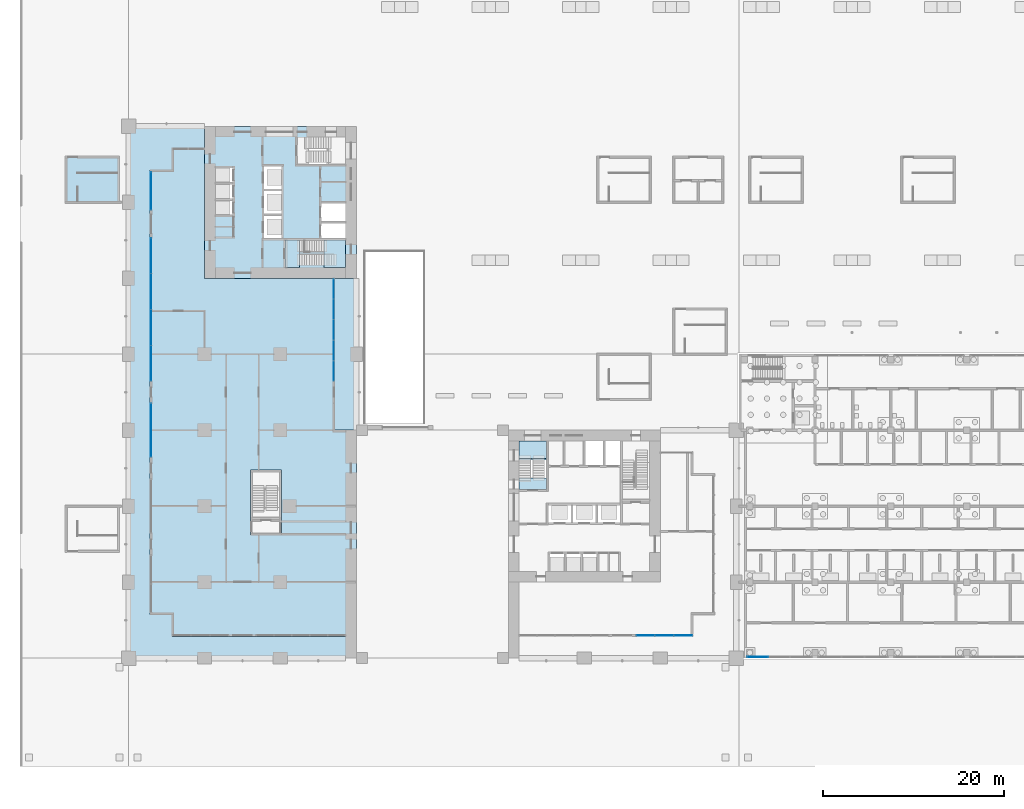
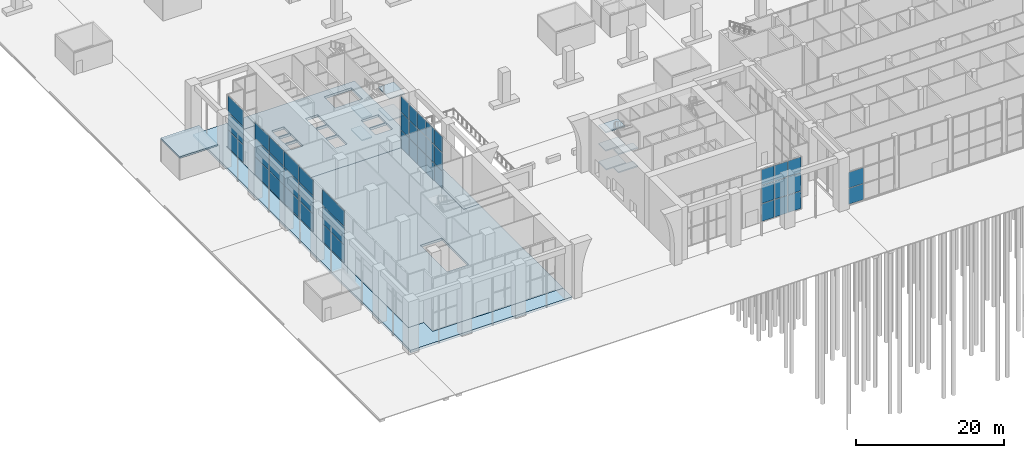
# One storey, part 14 of 46: 44 plates, 14 slabs, 8 elements without a shape of their own.
"""IFC4 building model written with IfcOpenShell, lengths in metres."""

from ifc_helpers import new_model, si_unit, direction, frame, origin, origin_2d, place, context, subcontext, project, spatial, polyline, rectangle, outline, extrude, material, layer, layer_set, type_object, element, aggregate, save


model = new_model("IFC4")

# Units and contexts
model_context = context("Model", 3, precision=1e-05, world=origin(), true_north=direction((0.0, 1.0)))
body_context = subcontext(model_context, "Body", "Model", "MODEL_VIEW")
ifc_project = project(units=[si_unit("LENGTHUNIT", "METRE"), si_unit("AREAUNIT", "SQUARE_METRE"), si_unit("VOLUMEUNIT", "CUBIC_METRE"), si_unit("PLANEANGLEUNIT", "RADIAN"), si_unit("MASSUNIT", "GRAM", prefix="KILO")], contexts=[model_context])

# Site, building, storey
site_placement = place(None, origin())
site = spatial("IfcSite", under=ifc_project, at=site_placement, CompositionType="ELEMENT")
building_placement = place(site_placement, origin())
building = spatial("IfcBuilding", under=site, at=building_placement, Name="Vermilion Gate Residences", CompositionType="ELEMENT")
storey_placement = place(building_placement, origin())
storey = spatial("IfcBuildingStorey", under=building, at=storey_placement, Name="L00", CompositionType="ELEMENT", Elevation=0.0)

# Curtain wall, plates
ifc_material_1 = material(Name="Aluminium and glass", Category="aluminium")
ifc_layer_1 = layer(ifc_material_1, 0.159912109375)
ifc_layer_set_1 = layer_set([ifc_layer_1], Name="SHOPFRONT CURTAIN WALL (MARKET HALL)")
curtain_wall_type_1 = type_object("IfcCurtainWallType", Name="SHOPFRONT CURTAIN WALL (MARKET HALL)", PredefinedType="NOTDEFINED", material=ifc_layer_set_1)
curtain_wall_1_placement = place(storey_placement, origin())
curtain_wall_1 = element("IfcCurtainWall", 1, at=curtain_wall_1_placement, inside=storey, type_object=curtain_wall_type_1, Name="Shopfront glazing", PredefinedType="NOTDEFINED")
ifc_material_2 = material(Name="Glass", Category="glass")
ifc_layer_2 = layer(ifc_material_2, 0.028076171875)
ifc_layer_set_2 = layer_set([ifc_layer_2], Name="GLAZING PANEL 28 (MARKET HALL)")
plate_type_1 = type_object("IfcPlateType", Name="GLAZING PANEL 28 (MARKET HALL)", PredefinedType="CURTAIN_PANEL", material=ifc_layer_set_2)
plate_1_placement = place(storey_placement, frame((69.56494140625, 0.125, 0.06005859375), z_axis=(0.0, 0.0, 1.0), x_axis=(1.0, 0.0, 0.0)))
plate_1 = element("IfcPlate", 2, at=plate_1_placement, type_object=plate_type_1, Name="HC3 panel 1.1", PredefinedType="CURTAIN_PANEL", context=body_context, shape_type="SweptSolid", body=[
    extrude(rectangle(XDim=2.31005859375, YDim=0.028076171875, at=origin_2d()), origin(), (0.0, 0.0, 1.0), 2.610107421875),
])
plate_2_placement = place(storey_placement, frame((69.56494140625, 0.125, 2.72998046875), z_axis=(0.0, 0.0, 1.0), x_axis=(1.0, 0.0, 0.0)))
plate_2 = element("IfcPlate", 3, at=plate_2_placement, type_object=plate_type_1, Name="HC3 panel 1.2", PredefinedType="CURTAIN_PANEL", context=body_context, shape_type="SweptSolid", body=[
    extrude(rectangle(XDim=2.31005859375, YDim=0.028076171875, at=origin_2d()), origin(), (0.0, 0.0, 1.0), 2.610107421875),
])
aggregate(curtain_wall_1, [plate_1, plate_2])

# Slab
ifc_material_3 = material(Name="Concrete C30", Category="concrete")
ifc_layer_3 = layer(ifc_material_3, 0.25)
ifc_layer_set_3 = layer_set([ifc_layer_3], Name="HOUSE ROOF 250 (AMENITY)")
slab_type_1 = type_object("IfcSlabType", Name="HOUSE ROOF 250 (AMENITY)", PredefinedType="ROOF", material=ifc_layer_set_3)
slab_1_placement = place(storey_placement, frame((0.0, 0.0, 3.60009765625)))
element("IfcSlab", 4, at=slab_1_placement, inside=storey, type_object=slab_type_1, Name="House roof 2", PredefinedType="ROOF", context=body_context, shape_type="SweptSolid", body=[
    extrude(outline(polyline([(-7.0, 50.300048828125), (-7.0, 55.5), (-1.0, 55.5), (-1.0, 50.300048828125), (-7.0, 50.300048828125)])), origin(), (0.0, 0.0, 1.0), 0.25),
])

# Curtain wall, plates
ifc_material_4 = material(Name="Aluminium and glass", Category="aluminium")
curtain_wall_type_2 = type_object("IfcCurtainWallType", Name="LOBBY ENTRANCE GLAZING CURTAIN WALL", PredefinedType="NOTDEFINED", material=ifc_material_4)
curtain_wall_2_placement = place(storey_placement, origin())
curtain_wall_2 = element("IfcCurtainWall", 5, at=curtain_wall_2_placement, inside=storey, type_object=curtain_wall_type_2, Name="Lobby Entrance Glazing 82", PredefinedType="NOTDEFINED")
ifc_material_5 = material(Name="Low-iron laminated glass", Category="glass")
ifc_layer_4 = layer(ifc_material_5, 0.035888671875)
ifc_layer_set_4 = layer_set([ifc_layer_4], Name="LOBBY ENTRANCE GLAZING GLASS PANEL 36")
plate_type_2 = type_object("IfcPlateType", Name="LOBBY ENTRANCE GLAZING GLASS PANEL 36", PredefinedType="CURTAIN_PANEL", material=ifc_layer_set_4)
plate_3_placement = place(storey_placement, frame((22.699951171875, 31.760009765625, 0.080078125), z_axis=(0.0, 0.0, 1.0), x_axis=(0.0, 1.0, 0.0)))
plate_3 = element("IfcPlate", 6, at=plate_3_placement, type_object=plate_type_2, Name="ECW5 panel 1.1", PredefinedType="CURTAIN_PANEL", context=body_context, shape_type="SweptSolid", body=[
    extrude(rectangle(XDim=2.159912109375, YDim=0.035888671875, at=origin_2d()), origin(), (0.0, 0.0, 1.0), 2.8798828125),
])
plate_4_placement = place(storey_placement, frame((22.699951171875, 31.760009765625, 3.0400390625), z_axis=(0.0, 0.0, 1.0), x_axis=(0.0, 1.0, 0.0)))
plate_4 = element("IfcPlate", 7, at=plate_4_placement, type_object=plate_type_2, Name="ECW5 panel 1.2", PredefinedType="CURTAIN_PANEL", context=body_context, shape_type="SweptSolid", body=[
    extrude(rectangle(XDim=2.159912109375, YDim=0.035888671875, at=origin_2d()), origin(), (0.0, 0.0, 1.0), 2.919921875),
])
plate_5_placement = place(storey_placement, frame((22.699951171875, 31.760009765625, 6.0400390625), z_axis=(0.0, 0.0, 1.0), x_axis=(0.0, 1.0, 0.0)))
plate_5 = element("IfcPlate", 8, at=plate_5_placement, type_object=plate_type_2, Name="ECW5 panel 1.3", PredefinedType="CURTAIN_PANEL", context=body_context, shape_type="SweptSolid", body=[
    extrude(rectangle(XDim=2.159912109375, YDim=0.035888671875, at=origin_2d()), origin(), (0.0, 0.0, 1.0), 2.580078125),
])
plate_6_placement = place(storey_placement, frame((22.699951171875, 34.02001953125, 0.080078125), z_axis=(0.0, 0.0, 1.0), x_axis=(0.0, 1.0, 0.0)))
plate_6 = element("IfcPlate", 9, at=plate_6_placement, type_object=plate_type_2, Name="ECW5 panel 2.1", PredefinedType="CURTAIN_PANEL", context=body_context, shape_type="SweptSolid", body=[
    extrude(rectangle(XDim=2.199951171875, YDim=0.035888671875, at=origin_2d()), origin(), (0.0, 0.0, 1.0), 2.8798828125),
])
plate_7_placement = place(storey_placement, frame((22.699951171875, 34.02001953125, 3.0400390625), z_axis=(0.0, 0.0, 1.0), x_axis=(0.0, 1.0, 0.0)))
plate_7 = element("IfcPlate", 10, at=plate_7_placement, type_object=plate_type_2, Name="ECW5 panel 2.2", PredefinedType="CURTAIN_PANEL", context=body_context, shape_type="SweptSolid", body=[
    extrude(rectangle(XDim=2.199951171875, YDim=0.035888671875, at=origin_2d()), origin(), (0.0, 0.0, 1.0), 2.919921875),
])
plate_8_placement = place(storey_placement, frame((22.699951171875, 34.02001953125, 6.0400390625), z_axis=(0.0, 0.0, 1.0), x_axis=(0.0, 1.0, 0.0)))
plate_8 = element("IfcPlate", 11, at=plate_8_placement, type_object=plate_type_2, Name="ECW5 panel 2.3", PredefinedType="CURTAIN_PANEL", context=body_context, shape_type="SweptSolid", body=[
    extrude(rectangle(XDim=2.199951171875, YDim=0.035888671875, at=origin_2d()), origin(), (0.0, 0.0, 1.0), 2.580078125),
])
plate_9_placement = place(storey_placement, frame((22.699951171875, 36.300048828125, 0.080078125), z_axis=(0.0, 0.0, 1.0), x_axis=(0.0, 1.0, 0.0)))
plate_9 = element("IfcPlate", 12, at=plate_9_placement, type_object=plate_type_2, Name="ECW5 panel 3.1", PredefinedType="CURTAIN_PANEL", context=body_context, shape_type="SweptSolid", body=[
    extrude(rectangle(XDim=2.199951171875, YDim=0.035888671875, at=origin_2d()), origin(), (0.0, 0.0, 1.0), 2.8798828125),
])
plate_10_placement = place(storey_placement, frame((22.699951171875, 36.300048828125, 3.0400390625), z_axis=(0.0, 0.0, 1.0), x_axis=(0.0, 1.0, 0.0)))
plate_10 = element("IfcPlate", 13, at=plate_10_placement, type_object=plate_type_2, Name="ECW5 panel 3.2", PredefinedType="CURTAIN_PANEL", context=body_context, shape_type="SweptSolid", body=[
    extrude(rectangle(XDim=2.199951171875, YDim=0.035888671875, at=origin_2d()), origin(), (0.0, 0.0, 1.0), 2.919921875),
])
plate_11_placement = place(storey_placement, frame((22.699951171875, 36.300048828125, 6.0400390625), z_axis=(0.0, 0.0, 1.0), x_axis=(0.0, 1.0, 0.0)))
plate_11 = element("IfcPlate", 14, at=plate_11_placement, type_object=plate_type_2, Name="ECW5 panel 3.3", PredefinedType="CURTAIN_PANEL", context=body_context, shape_type="SweptSolid", body=[
    extrude(rectangle(XDim=2.199951171875, YDim=0.035888671875, at=origin_2d()), origin(), (0.0, 0.0, 1.0), 2.580078125),
])
plate_12_placement = place(storey_placement, frame((22.699951171875, 38.580078125, 0.080078125), z_axis=(0.0, 0.0, 1.0), x_axis=(0.0, 1.0, 0.0)))
plate_12 = element("IfcPlate", 15, at=plate_12_placement, type_object=plate_type_2, Name="ECW5 panel 4.1", PredefinedType="CURTAIN_PANEL", context=body_context, shape_type="SweptSolid", body=[
    extrude(rectangle(XDim=2.199951171875, YDim=0.035888671875, at=origin_2d()), origin(), (0.0, 0.0, 1.0), 2.8798828125),
])
plate_13_placement = place(storey_placement, frame((22.699951171875, 38.580078125, 3.0400390625), z_axis=(0.0, 0.0, 1.0), x_axis=(0.0, 1.0, 0.0)))
plate_13 = element("IfcPlate", 16, at=plate_13_placement, type_object=plate_type_2, Name="ECW5 panel 4.2", PredefinedType="CURTAIN_PANEL", context=body_context, shape_type="SweptSolid", body=[
    extrude(rectangle(XDim=2.199951171875, YDim=0.035888671875, at=origin_2d()), origin(), (0.0, 0.0, 1.0), 2.919921875),
])
plate_14_placement = place(storey_placement, frame((22.699951171875, 38.580078125, 6.0400390625), z_axis=(0.0, 0.0, 1.0), x_axis=(0.0, 1.0, 0.0)))
plate_14 = element("IfcPlate", 17, at=plate_14_placement, type_object=plate_type_2, Name="ECW5 panel 4.3", PredefinedType="CURTAIN_PANEL", context=body_context, shape_type="SweptSolid", body=[
    extrude(rectangle(XDim=2.199951171875, YDim=0.035888671875, at=origin_2d()), origin(), (0.0, 0.0, 1.0), 2.580078125),
])
plate_15_placement = place(storey_placement, frame((22.699951171875, 40.840087890625, 0.080078125), z_axis=(0.0, 0.0, 1.0), x_axis=(0.0, 1.0, 0.0)))
plate_15 = element("IfcPlate", 18, at=plate_15_placement, type_object=plate_type_2, Name="ECW5 panel 5.1", PredefinedType="CURTAIN_PANEL", context=body_context, shape_type="SweptSolid", body=[
    extrude(rectangle(XDim=2.159912109375, YDim=0.035888671875, at=origin_2d()), origin(), (0.0, 0.0, 1.0), 2.8798828125),
])
plate_16_placement = place(storey_placement, frame((22.699951171875, 40.840087890625, 3.0400390625), z_axis=(0.0, 0.0, 1.0), x_axis=(0.0, 1.0, 0.0)))
plate_16 = element("IfcPlate", 19, at=plate_16_placement, type_object=plate_type_2, Name="ECW5 panel 5.2", PredefinedType="CURTAIN_PANEL", context=body_context, shape_type="SweptSolid", body=[
    extrude(rectangle(XDim=2.159912109375, YDim=0.035888671875, at=origin_2d()), origin(), (0.0, 0.0, 1.0), 2.919921875),
])
plate_17_placement = place(storey_placement, frame((22.699951171875, 40.840087890625, 6.0400390625), z_axis=(0.0, 0.0, 1.0), x_axis=(0.0, 1.0, 0.0)))
plate_17 = element("IfcPlate", 20, at=plate_17_placement, type_object=plate_type_2, Name="ECW5 panel 5.3", PredefinedType="CURTAIN_PANEL", context=body_context, shape_type="SweptSolid", body=[
    extrude(rectangle(XDim=2.159912109375, YDim=0.035888671875, at=origin_2d()), origin(), (0.0, 0.0, 1.0), 2.580078125),
])
aggregate(curtain_wall_2, [plate_3, plate_4, plate_5, plate_6, plate_7, plate_8, plate_9, plate_10, plate_11, plate_12, plate_13, plate_14, plate_15, plate_16, plate_17])

curtain_wall_3_placement = place(storey_placement, origin())
curtain_wall_3 = element("IfcCurtainWall", 21, at=curtain_wall_3_placement, inside=storey, type_object=curtain_wall_type_2, Name="Lobby Entrance Glazing 92", PredefinedType="NOTDEFINED")
plate_18_placement = place(storey_placement, frame((57.169921875, 2.5, 0.080078125), z_axis=(0.0, 0.0, 1.0), x_axis=(1.0, 0.0, 0.0)))
plate_18 = element("IfcPlate", 22, at=plate_18_placement, type_object=plate_type_2, Name="ECW5 panel 1.1", PredefinedType="CURTAIN_PANEL", context=body_context, shape_type="SweptSolid", body=[
    extrude(rectangle(XDim=1.97998046875, YDim=0.035888671875, at=origin_2d()), origin(), (0.0, 0.0, 1.0), 2.8798828125),
])
plate_19_placement = place(storey_placement, frame((57.169921875, 2.5, 3.0400390625), z_axis=(0.0, 0.0, 1.0), x_axis=(1.0, 0.0, 0.0)))
plate_19 = element("IfcPlate", 23, at=plate_19_placement, type_object=plate_type_2, Name="ECW5 panel 1.2", PredefinedType="CURTAIN_PANEL", context=body_context, shape_type="SweptSolid", body=[
    extrude(rectangle(XDim=1.97998046875, YDim=0.035888671875, at=origin_2d()), origin(), (0.0, 0.0, 1.0), 2.919921875),
])
plate_20_placement = place(storey_placement, frame((57.169921875, 2.5, 6.0400390625), z_axis=(0.0, 0.0, 1.0), x_axis=(1.0, 0.0, 0.0)))
plate_20 = element("IfcPlate", 24, at=plate_20_placement, type_object=plate_type_2, Name="ECW5 panel 1.3", PredefinedType="CURTAIN_PANEL", context=body_context, shape_type="SweptSolid", body=[
    extrude(rectangle(XDim=1.97998046875, YDim=0.035888671875, at=origin_2d()), origin(), (0.0, 0.0, 1.0), 2.580078125),
])
plate_21_placement = place(storey_placement, frame((59.25, 2.5, 0.080078125), z_axis=(0.0, 0.0, 1.0), x_axis=(1.0, 0.0, 0.0)))
plate_21 = element("IfcPlate", 25, at=plate_21_placement, type_object=plate_type_2, Name="ECW5 panel 2.1", PredefinedType="CURTAIN_PANEL", context=body_context, shape_type="SweptSolid", body=[
    extrude(rectangle(XDim=2.02001953125, YDim=0.035888671875, at=origin_2d()), origin(), (0.0, 0.0, 1.0), 2.8798828125),
])
plate_22_placement = place(storey_placement, frame((59.25, 2.5, 3.0400390625), z_axis=(0.0, 0.0, 1.0), x_axis=(1.0, 0.0, 0.0)))
plate_22 = element("IfcPlate", 26, at=plate_22_placement, type_object=plate_type_2, Name="ECW5 panel 2.2", PredefinedType="CURTAIN_PANEL", context=body_context, shape_type="SweptSolid", body=[
    extrude(rectangle(XDim=2.02001953125, YDim=0.035888671875, at=origin_2d()), origin(), (0.0, 0.0, 1.0), 2.919921875),
])
plate_23_placement = place(storey_placement, frame((59.25, 2.5, 6.0400390625), z_axis=(0.0, 0.0, 1.0), x_axis=(1.0, 0.0, 0.0)))
plate_23 = element("IfcPlate", 27, at=plate_23_placement, type_object=plate_type_2, Name="ECW5 panel 2.3", PredefinedType="CURTAIN_PANEL", context=body_context, shape_type="SweptSolid", body=[
    extrude(rectangle(XDim=2.02001953125, YDim=0.035888671875, at=origin_2d()), origin(), (0.0, 0.0, 1.0), 2.580078125),
])
plate_24_placement = place(storey_placement, frame((61.330078125, 2.5, 0.080078125), z_axis=(0.0, 0.0, 1.0), x_axis=(1.0, 0.0, 0.0)))
plate_24 = element("IfcPlate", 28, at=plate_24_placement, type_object=plate_type_2, Name="ECW5 panel 3.1", PredefinedType="CURTAIN_PANEL", context=body_context, shape_type="SweptSolid", body=[
    extrude(rectangle(XDim=1.97998046875, YDim=0.035888671875, at=origin_2d()), origin(), (0.0, 0.0, 1.0), 2.8798828125),
])
plate_25_placement = place(storey_placement, frame((61.330078125, 2.5, 3.0400390625), z_axis=(0.0, 0.0, 1.0), x_axis=(1.0, 0.0, 0.0)))
plate_25 = element("IfcPlate", 29, at=plate_25_placement, type_object=plate_type_2, Name="ECW5 panel 3.2", PredefinedType="CURTAIN_PANEL", context=body_context, shape_type="SweptSolid", body=[
    extrude(rectangle(XDim=1.97998046875, YDim=0.035888671875, at=origin_2d()), origin(), (0.0, 0.0, 1.0), 2.919921875),
])
plate_26_placement = place(storey_placement, frame((61.330078125, 2.5, 6.0400390625), z_axis=(0.0, 0.0, 1.0), x_axis=(1.0, 0.0, 0.0)))
plate_26 = element("IfcPlate", 30, at=plate_26_placement, type_object=plate_type_2, Name="ECW5 panel 3.3", PredefinedType="CURTAIN_PANEL", context=body_context, shape_type="SweptSolid", body=[
    extrude(rectangle(XDim=1.97998046875, YDim=0.035888671875, at=origin_2d()), origin(), (0.0, 0.0, 1.0), 2.580078125),
])
aggregate(curtain_wall_3, [plate_18, plate_19, plate_20, plate_21, plate_22, plate_23, plate_24, plate_25, plate_26])

ifc_material_6 = material(Name="Aluminium and glass", Category="aluminium")
curtain_wall_type_3 = type_object("IfcCurtainWallType", Name="PODIUM SHOPFRONT CURTAIN WALL", PredefinedType="NOTDEFINED", material=ifc_material_6)
curtain_wall_4_placement = place(storey_placement, origin())
curtain_wall_4 = element("IfcCurtainWall", 31, at=curtain_wall_4_placement, inside=storey, type_object=curtain_wall_type_3, Name="Podium Shopfront 30", PredefinedType="NOTDEFINED")
ifc_material_7 = material(Name="Clear laminated glass", Category="glass")
ifc_layer_5 = layer(ifc_material_7, 0.031982421875)
ifc_layer_set_5 = layer_set([ifc_layer_5], Name="PODIUM SHOPFRONT GLASS PANEL 32")
plate_type_3 = type_object("IfcPlateType", Name="PODIUM SHOPFRONT GLASS PANEL 32", PredefinedType="CURTAIN_PANEL", material=ifc_layer_set_5)
plate_27_placement = place(storey_placement, frame((2.5, 51.64990234375, 0.06005859375), z_axis=(0.0, 0.0, 1.0), x_axis=(0.0, -1.0, 0.0)))
plate_27 = element("IfcPlate", 32, at=plate_27_placement, type_object=plate_type_3, Name="ECW1 panel 1.1", PredefinedType="CURTAIN_PANEL", context=body_context, shape_type="SweptSolid", body=[
    extrude(rectangle(XDim=4.179931640625, YDim=0.031982421875, at=origin_2d()), origin(), (0.0, 0.0, 1.0), 2.909912109375),
])
plate_28_placement = place(storey_placement, frame((2.5, 51.64990234375, 3.030029296875), z_axis=(0.0, 0.0, 1.0), x_axis=(0.0, -1.0, 0.0)))
plate_28 = element("IfcPlate", 33, at=plate_28_placement, type_object=plate_type_3, Name="ECW1 panel 1.2", PredefinedType="CURTAIN_PANEL", context=body_context, shape_type="SweptSolid", body=[
    extrude(rectangle(XDim=4.179931640625, YDim=0.031982421875, at=origin_2d()), origin(), (0.0, 0.0, 1.0), 2.93994140625),
])
plate_29_placement = place(storey_placement, frame((2.5, 51.64990234375, 6.02978515625), z_axis=(0.0, 0.0, 1.0), x_axis=(0.0, -1.0, 0.0)))
plate_29 = element("IfcPlate", 34, at=plate_29_placement, type_object=plate_type_3, Name="ECW1 panel 1.3", PredefinedType="CURTAIN_PANEL", context=body_context, shape_type="SweptSolid", body=[
    extrude(rectangle(XDim=4.179931640625, YDim=0.031982421875, at=origin_2d()), origin(), (0.0, 0.0, 1.0), 2.610107421875),
])
aggregate(curtain_wall_4, [plate_27, plate_28, plate_29])

curtain_wall_5_placement = place(storey_placement, origin())
curtain_wall_5 = element("IfcCurtainWall", 35, at=curtain_wall_5_placement, inside=storey, type_object=curtain_wall_type_3, Name="Podium Shopfront 32", PredefinedType="NOTDEFINED")
plate_30_placement = place(storey_placement, frame((2.5, 44.49755859375, 0.06005859375), z_axis=(0.0, 0.0, 1.0), x_axis=(0.0, -1.0, 0.0)))
plate_30 = element("IfcPlate", 36, at=plate_30_placement, type_object=plate_type_3, Name="ECW1 panel 1.1", PredefinedType="CURTAIN_PANEL", context=body_context, shape_type="SweptSolid", body=[
    extrude(rectangle(XDim=3.885009765625, YDim=0.031982421875, at=origin_2d()), origin(), (0.0, 0.0, 1.0), 2.909912109375),
])
plate_31_placement = place(storey_placement, frame((2.5, 44.49755859375, 3.030029296875), z_axis=(0.0, 0.0, 1.0), x_axis=(0.0, -1.0, 0.0)))
plate_31 = element("IfcPlate", 37, at=plate_31_placement, type_object=plate_type_3, Name="ECW1 panel 1.2", PredefinedType="CURTAIN_PANEL", context=body_context, shape_type="SweptSolid", body=[
    extrude(rectangle(XDim=3.885009765625, YDim=0.031982421875, at=origin_2d()), origin(), (0.0, 0.0, 1.0), 2.93994140625),
])
plate_32_placement = place(storey_placement, frame((2.5, 44.49755859375, 6.02978515625), z_axis=(0.0, 0.0, 1.0), x_axis=(0.0, -1.0, 0.0)))
plate_32 = element("IfcPlate", 38, at=plate_32_placement, type_object=plate_type_3, Name="ECW1 panel 1.3", PredefinedType="CURTAIN_PANEL", context=body_context, shape_type="SweptSolid", body=[
    extrude(rectangle(XDim=3.885009765625, YDim=0.031982421875, at=origin_2d()), origin(), (0.0, 0.0, 1.0), 2.610107421875),
])
plate_33_placement = place(storey_placement, frame((2.5, 40.53759765625, 0.06005859375), z_axis=(0.0, 0.0, 1.0), x_axis=(0.0, -1.0, 0.0)))
plate_33 = element("IfcPlate", 39, at=plate_33_placement, type_object=plate_type_3, Name="ECW1 panel 2.1", PredefinedType="CURTAIN_PANEL", context=body_context, shape_type="SweptSolid", body=[
    extrude(rectangle(XDim=3.9150390625, YDim=0.031982421875, at=origin_2d()), origin(), (0.0, 0.0, 1.0), 2.909912109375),
])
plate_34_placement = place(storey_placement, frame((2.5, 40.53759765625, 3.030029296875), z_axis=(0.0, 0.0, 1.0), x_axis=(0.0, -1.0, 0.0)))
plate_34 = element("IfcPlate", 40, at=plate_34_placement, type_object=plate_type_3, Name="ECW1 panel 2.2", PredefinedType="CURTAIN_PANEL", context=body_context, shape_type="SweptSolid", body=[
    extrude(rectangle(XDim=3.9150390625, YDim=0.031982421875, at=origin_2d()), origin(), (0.0, 0.0, 1.0), 2.93994140625),
])
plate_35_placement = place(storey_placement, frame((2.5, 40.53759765625, 6.02978515625), z_axis=(0.0, 0.0, 1.0), x_axis=(0.0, -1.0, 0.0)))
plate_35 = element("IfcPlate", 41, at=plate_35_placement, type_object=plate_type_3, Name="ECW1 panel 2.3", PredefinedType="CURTAIN_PANEL", context=body_context, shape_type="SweptSolid", body=[
    extrude(rectangle(XDim=3.9150390625, YDim=0.031982421875, at=origin_2d()), origin(), (0.0, 0.0, 1.0), 2.610107421875),
])
plate_36_placement = place(storey_placement, frame((2.5, 36.5625, 0.06005859375), z_axis=(0.0, 0.0, 1.0), x_axis=(0.0, -1.0, 0.0)))
plate_36 = element("IfcPlate", 42, at=plate_36_placement, type_object=plate_type_3, Name="ECW1 panel 3.1", PredefinedType="CURTAIN_PANEL", context=body_context, shape_type="SweptSolid", body=[
    extrude(rectangle(XDim=3.9150390625, YDim=0.031982421875, at=origin_2d()), origin(), (0.0, 0.0, 1.0), 2.909912109375),
])
plate_37_placement = place(storey_placement, frame((2.5, 36.5625, 3.030029296875), z_axis=(0.0, 0.0, 1.0), x_axis=(0.0, -1.0, 0.0)))
plate_37 = element("IfcPlate", 43, at=plate_37_placement, type_object=plate_type_3, Name="ECW1 panel 3.2", PredefinedType="CURTAIN_PANEL", context=body_context, shape_type="SweptSolid", body=[
    extrude(rectangle(XDim=3.9150390625, YDim=0.031982421875, at=origin_2d()), origin(), (0.0, 0.0, 1.0), 2.93994140625),
])
plate_38_placement = place(storey_placement, frame((2.5, 36.5625, 6.02978515625), z_axis=(0.0, 0.0, 1.0), x_axis=(0.0, -1.0, 0.0)))
plate_38 = element("IfcPlate", 44, at=plate_38_placement, type_object=plate_type_3, Name="ECW1 panel 3.3", PredefinedType="CURTAIN_PANEL", context=body_context, shape_type="SweptSolid", body=[
    extrude(rectangle(XDim=3.9150390625, YDim=0.031982421875, at=origin_2d()), origin(), (0.0, 0.0, 1.0), 2.610107421875),
])
plate_39_placement = place(storey_placement, frame((2.5, 32.6025390625, 0.06005859375), z_axis=(0.0, 0.0, 1.0), x_axis=(0.0, -1.0, 0.0)))
plate_39 = element("IfcPlate", 45, at=plate_39_placement, type_object=plate_type_3, Name="ECW1 panel 4.1", PredefinedType="CURTAIN_PANEL", context=body_context, shape_type="SweptSolid", body=[
    extrude(rectangle(XDim=3.885009765625, YDim=0.031982421875, at=origin_2d()), origin(), (0.0, 0.0, 1.0), 2.909912109375),
])
plate_40_placement = place(storey_placement, frame((2.5, 32.6025390625, 3.030029296875), z_axis=(0.0, 0.0, 1.0), x_axis=(0.0, -1.0, 0.0)))
plate_40 = element("IfcPlate", 46, at=plate_40_placement, type_object=plate_type_3, Name="ECW1 panel 4.2", PredefinedType="CURTAIN_PANEL", context=body_context, shape_type="SweptSolid", body=[
    extrude(rectangle(XDim=3.885009765625, YDim=0.031982421875, at=origin_2d()), origin(), (0.0, 0.0, 1.0), 2.93994140625),
])
plate_41_placement = place(storey_placement, frame((2.5, 32.6025390625, 6.02978515625), z_axis=(0.0, 0.0, 1.0), x_axis=(0.0, -1.0, 0.0)))
plate_41 = element("IfcPlate", 47, at=plate_41_placement, type_object=plate_type_3, Name="ECW1 panel 4.3", PredefinedType="CURTAIN_PANEL", context=body_context, shape_type="SweptSolid", body=[
    extrude(rectangle(XDim=3.885009765625, YDim=0.031982421875, at=origin_2d()), origin(), (0.0, 0.0, 1.0), 2.610107421875),
])
aggregate(curtain_wall_5, [plate_30, plate_31, plate_32, plate_33, plate_34, plate_35, plate_36, plate_37, plate_38, plate_39, plate_40, plate_41])

curtain_wall_6_placement = place(storey_placement, origin())
curtain_wall_6 = element("IfcCurtainWall", 48, at=curtain_wall_6_placement, inside=storey, type_object=curtain_wall_type_3, Name="Podium Shopfront 34", PredefinedType="NOTDEFINED")
plate_42_placement = place(storey_placement, frame((2.5, 25.199951171875, 0.06005859375), z_axis=(0.0, 0.0, 1.0), x_axis=(0.0, -1.0, 0.0)))
plate_42 = element("IfcPlate", 49, at=plate_42_placement, type_object=plate_type_3, Name="ECW1 panel 1.1", PredefinedType="CURTAIN_PANEL", context=body_context, shape_type="SweptSolid", body=[
    extrude(rectangle(XDim=5.8798828125, YDim=0.031982421875, at=origin_2d()), origin(), (0.0, 0.0, 1.0), 2.909912109375),
])
plate_43_placement = place(storey_placement, frame((2.5, 25.199951171875, 3.030029296875), z_axis=(0.0, 0.0, 1.0), x_axis=(0.0, -1.0, 0.0)))
plate_43 = element("IfcPlate", 50, at=plate_43_placement, type_object=plate_type_3, Name="ECW1 panel 1.2", PredefinedType="CURTAIN_PANEL", context=body_context, shape_type="SweptSolid", body=[
    extrude(rectangle(XDim=5.8798828125, YDim=0.031982421875, at=origin_2d()), origin(), (0.0, 0.0, 1.0), 2.93994140625),
])
plate_44_placement = place(storey_placement, frame((2.5, 25.199951171875, 6.02978515625), z_axis=(0.0, 0.0, 1.0), x_axis=(0.0, -1.0, 0.0)))
plate_44 = element("IfcPlate", 51, at=plate_44_placement, type_object=plate_type_3, Name="ECW1 panel 1.3", PredefinedType="CURTAIN_PANEL", context=body_context, shape_type="SweptSolid", body=[
    extrude(rectangle(XDim=5.8798828125, YDim=0.031982421875, at=origin_2d()), origin(), (0.0, 0.0, 1.0), 2.610107421875),
])
aggregate(curtain_wall_6, [plate_42, plate_43, plate_44])

# Slabs
ifc_material_8 = material(Name="Concrete C50", Category="concrete")
ifc_layer_6 = layer(ifc_material_8, 0.39990234375)
ifc_layer_set_6 = layer_set([ifc_layer_6], Name="RC CORE FLOOR SLAB 400 C50")
slab_type_2 = type_object("IfcSlabType", Name="RC CORE FLOOR SLAB 400 C50", PredefinedType="FLOOR", material=ifc_layer_set_6)
slab_2_placement = place(storey_placement, frame((0.0, 0.0, -0.39990234375)))
element("IfcSlab", 52, at=slab_2_placement, inside=storey, type_object=slab_type_2, Name="Core floor slab B00", PredefinedType="FLOOR", context=body_context, shape_type="SweptSolid", body=[
    extrude(outline(polyline([(8.39990234375, 42.0), (25.199951171875, 42.0), (25.199951171875, 58.800048828125), (8.39990234375, 58.800048828125), (8.39990234375, 42.0)]), holes=[polyline([(21.300048828125, 48.10009765625), (24.0, 48.10009765625), (24.0, 46.39990234375), (21.300048828125, 46.39990234375), (21.300048828125, 48.10009765625)]), polyline([(15.0, 48.933349609375), (16.89990234375, 48.933349609375), (16.89990234375, 46.39990234375), (15.0, 46.39990234375), (15.0, 48.933349609375)]), polyline([(21.300048828125, 50.300048828125), (24.0, 50.300048828125), (24.0, 48.300048828125), (21.300048828125, 48.300048828125), (21.300048828125, 50.300048828125)]), polyline([(9.60009765625, 50.60009765625), (11.5, 50.60009765625), (11.5, 49.0), (9.60009765625, 49.0), (9.60009765625, 50.60009765625)]), polyline([(15.0, 51.666748046875), (16.89990234375, 51.666748046875), (16.89990234375, 49.13330078125), (15.0, 49.13330078125), (15.0, 51.666748046875)]), polyline([(9.60009765625, 52.39990234375), (11.5, 52.39990234375), (11.5, 50.800048828125), (9.60009765625, 50.800048828125), (9.60009765625, 52.39990234375)]), polyline([(15.0, 54.39990234375), (16.89990234375, 54.39990234375), (16.89990234375, 51.86669921875), (15.0, 51.86669921875), (15.0, 54.39990234375)]), polyline([(11.5, 54.199951171875), (11.5, 52.60009765625), (9.60009765625, 52.60009765625), (9.60009765625, 54.199951171875), (11.5, 54.199951171875)]), polyline([(24.0, 57.60009765625), (24.0, 54.60009765625), (19.75, 54.60009765625), (19.75, 57.60009765625), (24.0, 57.60009765625)])]), origin(), (0.0, 0.0, 1.0), 0.39990234375),
])
ifc_material_9 = material(Name="Concrete C60", Category="concrete")
ifc_layer_7 = layer(ifc_material_9, 0.39990234375)
ifc_layer_set_7 = layer_set([ifc_layer_7], Name="RC GROUND SLAB 400 C60")
slab_type_3 = type_object("IfcSlabType", Name="RC GROUND SLAB 400 C60", PredefinedType="FLOOR", material=ifc_layer_set_7)
slab_3_placement = place(storey_placement, frame((0.0, 0.0, -0.39990234375)))
element("IfcSlab", 53, at=slab_3_placement, inside=storey, type_object=slab_type_3, Name="Floor slab L00", PredefinedType="FLOOR", context=body_context, shape_type="SweptSolid", body=[
    extrude(outline(polyline([(22.800048828125, 25.199951171875), (22.800048828125, 42.0), (8.39990234375, 42.0), (8.39990234375, 56.39990234375), (4.800048828125, 56.39990234375), (4.800048828125, 54.0), (2.39990234375, 54.0), (2.39990234375, 4.800048828125), (4.800048828125, 4.800048828125), (4.800048828125, 2.39990234375), (25.199951171875, 2.39990234375), (25.199951171875, 25.199951171875), (22.800048828125, 25.199951171875)]), holes=[polyline([(16.89990234375, 13.60009765625), (13.5, 13.60009765625), (13.5, 20.800048828125), (16.89990234375, 20.800048828125), (16.89990234375, 13.60009765625)])]), origin(), (0.0, 0.0, 1.0), 0.39990234375),
])
ifc_material_10 = material(Name="Concrete C60 red-oxide pigmented", Category="concrete")
ifc_layer_8 = layer(ifc_material_10, 0.39990234375)
ifc_layer_set_8 = layer_set([ifc_layer_8], Name="RC LOGGIA SLAB 400 C60")
slab_type_4 = type_object("IfcSlabType", Name="RC LOGGIA SLAB 400 C60", PredefinedType="FLOOR", material=ifc_layer_set_8)
slab_4_placement = place(storey_placement, frame((0.0, 0.0, -0.39990234375)))
element("IfcSlab", 54, at=slab_4_placement, inside=storey, type_object=slab_type_4, Name="Loggia slab L00", PredefinedType="FLOOR", context=body_context, shape_type="SweptSolid", body=[
    extrude(outline(polyline([(0.0, 0.0), (25.199951171875, 0.0), (25.199951171875, 2.39990234375), (4.800048828125, 2.39990234375), (4.800048828125, 4.800048828125), (2.39990234375, 4.800048828125), (2.39990234375, 54.0), (4.800048828125, 54.0), (4.800048828125, 56.39990234375), (8.39990234375, 56.39990234375), (8.39990234375, 58.800048828125), (0.0, 58.800048828125), (0.0, 0.0)])), origin(), (0.0, 0.0, 1.0), 0.39990234375),
])
slab_5_placement = place(storey_placement, frame((0.0, 0.0, -0.39990234375)))
element("IfcSlab", 55, at=slab_5_placement, inside=storey, type_object=slab_type_4, Name="Loggia slab L00", PredefinedType="FLOOR", context=body_context, shape_type="SweptSolid", body=[
    extrude(outline(polyline([(22.800048828125, 25.199951171875), (25.199951171875, 25.199951171875), (25.199951171875, 42.0), (22.800048828125, 42.0), (22.800048828125, 25.199951171875)])), origin(), (0.0, 0.0, 1.0), 0.39990234375),
])

# Stair, slabs
ifc_material_11 = material(Name="Concrete C50", Category="concrete")
stair_type = type_object("IfcStairType", Name="SPECIAL ESCAPE STAIR 1300", PredefinedType="HALF_TURN_STAIR", material=ifc_material_11)
stair_1_placement = place(storey_placement, origin())
stair_1 = element("IfcStair", 56, at=stair_1_placement, inside=storey, type_object=stair_type, Name="Special escape stair STA1-00", PredefinedType="HALF_TURN_STAIR")
ifc_material_12 = material(Name="Concrete C50", Category="concrete")
ifc_layer_9 = layer(ifc_material_12, 0.199951171875)
ifc_layer_set_9 = layer_set([ifc_layer_9], Name="STAIR LANDING 200 C50")
slab_type_5 = type_object("IfcSlabType", Name="STAIR LANDING 200 C50", PredefinedType="LANDING", material=ifc_layer_set_9)
slab_6_placement = place(storey_placement, frame((0.0, 0.0, 1.300048828125)))
slab_6 = element("IfcSlab", 57, at=slab_6_placement, type_object=slab_type_5, Name="STA1-00 landing 1", PredefinedType="LANDING", context=body_context, shape_type="SweptSolid", body=[
    extrude(outline(polyline([(46.219970703125, 21.909912109375), (46.219970703125, 24.02001953125), (43.179931640625, 24.02001953125), (43.179931640625, 21.909912109375), (46.219970703125, 21.909912109375)])), origin(), (0.0, 0.0, 1.0), 0.199951171875),
])
slab_7_placement = place(storey_placement, frame((0.0, 0.0, 2.800048828125)))
slab_7 = element("IfcSlab", 58, at=slab_7_placement, type_object=slab_type_5, Name="STA1-00 landing 2", PredefinedType="LANDING", context=body_context, shape_type="SweptSolid", body=[
    extrude(outline(polyline([(46.219970703125, 18.6298828125), (46.219970703125, 19.929931640625), (43.179931640625, 19.929931640625), (43.179931640625, 18.6298828125), (46.219970703125, 18.6298828125)])), origin(), (0.0, 0.0, 1.0), 0.199951171875),
])
slab_8_placement = place(storey_placement, frame((0.0, 0.0, 4.300048828125)))
slab_8 = element("IfcSlab", 59, at=slab_8_placement, type_object=slab_type_5, Name="STA1-00 landing 3", PredefinedType="LANDING", context=body_context, shape_type="SweptSolid", body=[
    extrude(outline(polyline([(46.219970703125, 22.090087890625), (46.219970703125, 24.02001953125), (43.179931640625, 24.02001953125), (43.179931640625, 22.090087890625), (46.219970703125, 22.090087890625)])), origin(), (0.0, 0.0, 1.0), 0.199951171875),
])
slab_9_placement = place(storey_placement, frame((0.0, 0.0, 5.800048828125)))
slab_9 = element("IfcSlab", 60, at=slab_9_placement, type_object=slab_type_5, Name="STA1-00 landing 4", PredefinedType="LANDING", context=body_context, shape_type="SweptSolid", body=[
    extrude(outline(polyline([(46.219970703125, 18.6298828125), (46.219970703125, 19.929931640625), (43.179931640625, 19.929931640625), (43.179931640625, 18.6298828125), (46.219970703125, 18.6298828125)])), origin(), (0.0, 0.0, 1.0), 0.199951171875),
])
slab_10_placement = place(storey_placement, frame((0.0, 0.0, 7.300048828125)))
slab_10 = element("IfcSlab", 61, at=slab_10_placement, type_object=slab_type_5, Name="STA1-00 landing 5", PredefinedType="LANDING", context=body_context, shape_type="SweptSolid", body=[
    extrude(outline(polyline([(46.219970703125, 22.090087890625), (46.219970703125, 24.02001953125), (43.179931640625, 24.02001953125), (43.179931640625, 22.090087890625), (46.219970703125, 22.090087890625)])), origin(), (0.0, 0.0, 1.0), 0.199951171875),
])
aggregate(stair_1, [slab_6, slab_7, slab_8, slab_9, slab_10])

stair_2_placement = place(storey_placement, origin())
stair_2 = element("IfcStair", 62, at=stair_2_placement, inside=storey, type_object=stair_type, Name="Special escape stair STB2-00", PredefinedType="HALF_TURN_STAIR")
slab_11_placement = place(storey_placement, frame((0.0, 0.0, 2.254638671875)))
slab_11 = element("IfcSlab", 63, at=slab_11_placement, type_object=slab_type_5, Name="STB2-00 landing 1", PredefinedType="LANDING", context=body_context, shape_type="SweptSolid", body=[
    extrude(outline(polyline([(18.919921875, 43.179931640625), (18.919921875, 46.219970703125), (17.330078125, 46.219970703125), (17.330078125, 43.179931640625), (18.919921875, 43.179931640625)])), origin(), (0.0, 0.0, 1.0), 0.199951171875),
])
slab_12_placement = place(storey_placement, frame((0.0, 0.0, 4.054443359375)))
slab_12 = element("IfcSlab", 64, at=slab_12_placement, type_object=slab_type_5, Name="STB2-00 landing 2", PredefinedType="LANDING", context=body_context, shape_type="SweptSolid", body=[
    extrude(outline(polyline([(24.02001953125, 43.179931640625), (24.02001953125, 46.219970703125), (21.6201171875, 46.219970703125), (21.6201171875, 43.179931640625), (24.02001953125, 43.179931640625)])), origin(), (0.0, 0.0, 1.0), 0.2001953125),
])
slab_13_placement = place(storey_placement, frame((0.0, 0.0, 5.8544921875)))
slab_13 = element("IfcSlab", 65, at=slab_13_placement, type_object=slab_type_5, Name="STB2-00 landing 3", PredefinedType="LANDING", context=body_context, shape_type="SweptSolid", body=[
    extrude(outline(polyline([(18.919921875, 43.179931640625), (18.919921875, 46.219970703125), (17.330078125, 46.219970703125), (17.330078125, 43.179931640625), (18.919921875, 43.179931640625)])), origin(), (0.0, 0.0, 1.0), 0.199951171875),
])
slab_14_placement = place(storey_placement, frame((0.0, 0.0, 7.654541015625)))
slab_14 = element("IfcSlab", 66, at=slab_14_placement, type_object=slab_type_5, Name="STB2-00 landing 4", PredefinedType="LANDING", context=body_context, shape_type="SweptSolid", body=[
    extrude(outline(polyline([(24.02001953125, 43.179931640625), (24.02001953125, 46.219970703125), (21.6201171875, 46.219970703125), (21.6201171875, 43.179931640625), (24.02001953125, 43.179931640625)])), origin(), (0.0, 0.0, 1.0), 0.199951171875),
])
aggregate(stair_2, [slab_11, slab_12, slab_13, slab_14])

save(model, "model.ifc")
